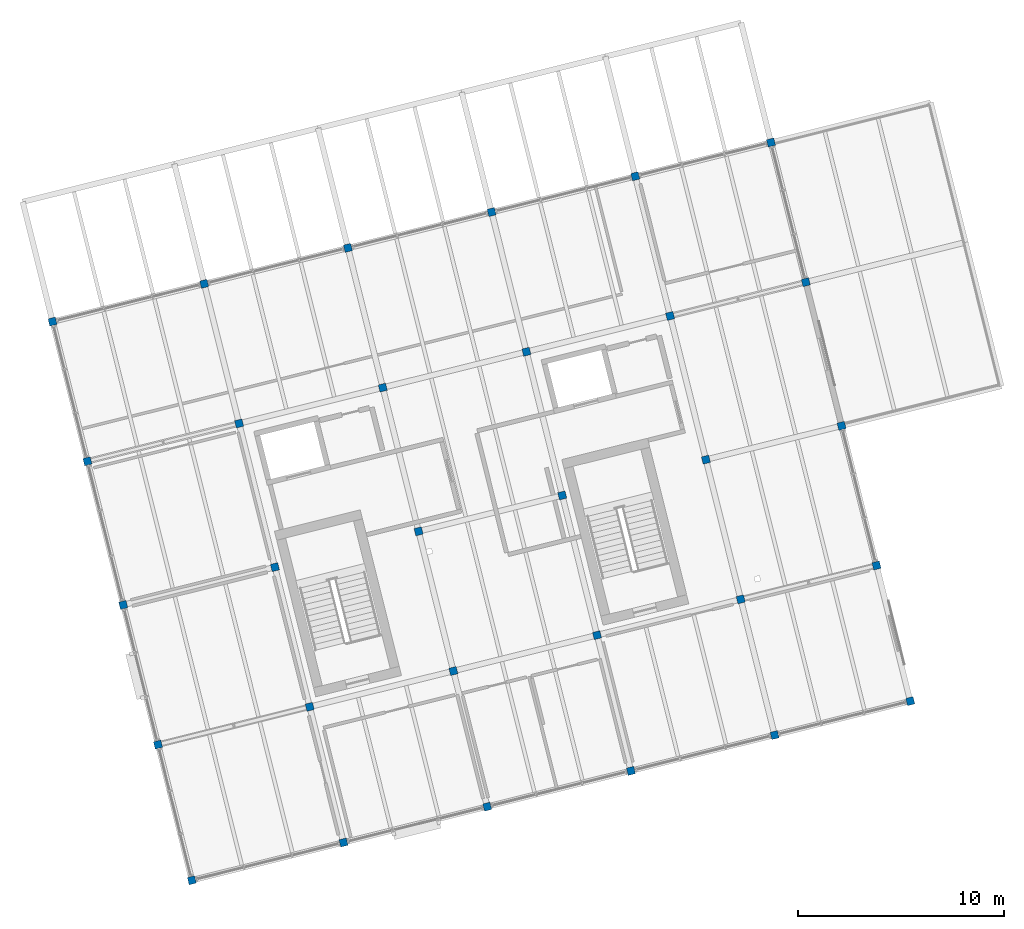
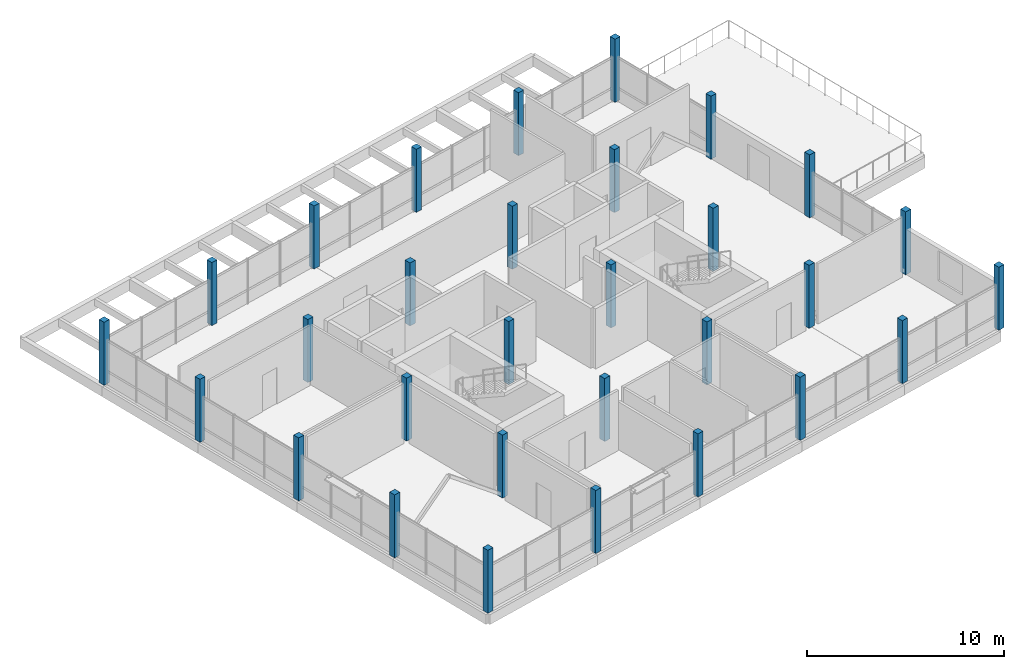
# One storey, part 1 of 28: 30 columns.
"""IFC4 building model written with IfcOpenShell, lengths in metres."""

import ifcopenshell
import ifcopenshell.guid

model = None  # the IFC model being written
_history = None  # IfcOwnerHistory: only IFC2X3 demands one
_inside = {}  # id of a spatial element -> (the spatial element, [elements in it])
_under = {}  # id of a project, library or spatial element -> (it, [spatial elements below it])
_declared = {}  # id of a project -> (the project, [libraries it declares])
_typed = {}  # id of a type object -> (the type object, [elements of that type])
_made_of = {}  # id of a material, layer set ... -> (it, [elements and type objects made of it])


def new_model(schema):
    """Start an empty IFC model of exactly this schema.

    Asked for "IFC4X3", IfcOpenShell would pick the latest addendum, in which some entities
    have other attributes; the version numbers below select the first issue.
    IFC2X3 requires an IfcOwnerHistory on every rooted entity: one is made here for all.
    """
    global model, _history
    if schema == "IFC4X3":
        model = ifcopenshell.file(schema_version=(4, 3, 0, 0))
    else:
        model = ifcopenshell.file(schema=schema)
    _inside.clear()
    _under.clear()
    _declared.clear()
    _typed.clear()
    _made_of.clear()
    _history = None
    if model.schema == "IFC2X3":
        org = make("IfcOrganization", Name="unknown")
        user = make(
            "IfcPersonAndOrganization",
            ThePerson=make("IfcPerson", FamilyName="unknown"),
            TheOrganization=org,
        )
        app = make(
            "IfcApplication",
            ApplicationDeveloper=org,
            Version="unknown",
            ApplicationFullName="unknown",
            ApplicationIdentifier="unknown",
        )
        _history = make(
            "IfcOwnerHistory",
            OwningUser=user,
            OwningApplication=app,
            ChangeAction="ADDED",
            CreationDate=0,
        )
    return model


def make(cls, **values):
    """One entity of the class cls with the attributes given. An attribute that is None is left unset."""
    return model.create_entity(
        cls, **{name: value for name, value in values.items() if value is not None}
    )


def rooted(cls, **values):
    """An entity with a GlobalId (a new one), such as an element, a storey or a relation."""
    return make(cls, GlobalId=ifcopenshell.guid.new(), OwnerHistory=_history, **values)


def si_unit(unit_type, name, prefix=None):
    """IfcSIUnit, for example si_unit("LENGTHUNIT", "METRE", prefix="MILLI")."""
    return make("IfcSIUnit", UnitType=unit_type, Prefix=prefix, Name=name)


def assignment(units):
    """IfcUnitAssignment: the units of a project."""
    return None if units is None else make("IfcUnitAssignment", Units=units)


def point(xyz):
    """IfcCartesianPoint."""
    return None if xyz is None else make("IfcCartesianPoint", Coordinates=xyz)


def direction(xyz):
    """IfcDirection."""
    return None if xyz is None else make("IfcDirection", DirectionRatios=xyz)


def frame(location, z_axis=None, x_axis=None):
    """IfcAxis2Placement3D, a coordinate frame: its origin and axes. An axis left out is left unset."""
    return make(
        "IfcAxis2Placement3D",
        Location=point(location),
        Axis=direction(z_axis),
        RefDirection=direction(x_axis),
    )


def frame_2d(location, x_axis=None):
    """IfcAxis2Placement2D, a coordinate frame in the plane: its origin and x axis."""
    return make(
        "IfcAxis2Placement2D", Location=point(location), RefDirection=direction(x_axis)
    )


def origin():
    """The frame at (0, 0, 0) with its axes left unset."""
    return frame((0.0, 0.0, 0.0))


def origin_2d():
    """The frame at (0, 0) in the plane with its x axis left unset."""
    return frame_2d((0.0, 0.0))


def place(relative_to, where):
    """IfcLocalPlacement: puts the frame where relative to a parent placement (None: the world)."""
    return make(
        "IfcLocalPlacement", PlacementRelTo=relative_to, RelativePlacement=where
    )


def context(
    kind, dimensions, precision=None, world=None, true_north=None, identifier=None
):
    """IfcGeometricRepresentationContext, for example the 3D "Model" context."""
    return make(
        "IfcGeometricRepresentationContext",
        ContextIdentifier=identifier,
        ContextType=kind,
        CoordinateSpaceDimension=dimensions,
        Precision=precision,
        WorldCoordinateSystem=world,
        TrueNorth=true_north,
    )


def subcontext(parent, identifier, kind, view, scale=None):
    """IfcGeometricRepresentationSubContext, for example "Body" below "Model"."""
    return make(
        "IfcGeometricRepresentationSubContext",
        ContextIdentifier=identifier,
        ContextType=kind,
        ParentContext=parent,
        TargetScale=scale,
        TargetView=view,
    )


def project(units=None, contexts=None):
    """IfcProject with its units and contexts."""
    return rooted(
        "IfcProject",
        Name="project",
        RepresentationContexts=contexts,
        UnitsInContext=assignment(units),
    )


def spatial(cls, under=None, at=None, **own):
    """A site, building, storey or space (cls), placed at a placement, below another one or the project."""
    s = rooted(cls, ObjectPlacement=at, **own)
    if under is not None:
        _under.setdefault(under.id(), (under, []))[1].append(s)
    return s


def profile(cls, at=None, kind="AREA", **sizes):
    """A parametric profile (cls). Its sizes go by their IFC names, for example OverallWidth=200.0."""
    return make(cls, ProfileType=kind, Position=at, **sizes)


def rectangle(**sizes):
    """IfcRectangleProfileDef."""
    return profile("IfcRectangleProfileDef", **sizes)


def extrude(swept, where, along, depth):
    """IfcExtrudedAreaSolid: the profile swept, set in the frame where, extruded along a direction by depth."""
    return make(
        "IfcExtrudedAreaSolid",
        SweptArea=swept,
        Position=where,
        ExtrudedDirection=direction(along),
        Depth=depth,
    )


def shape(context_of_items, identifier, shape_type, items):
    """IfcShapeRepresentation: the items that make up one representation, for example the "Body"."""
    return make(
        "IfcShapeRepresentation",
        ContextOfItems=context_of_items,
        RepresentationIdentifier=identifier,
        RepresentationType=shape_type,
        Items=items,
    )


def material(Name=None, Category=None):
    """IfcMaterial."""
    return make("IfcMaterial", Name=Name, Category=Category)


def material_profile(
    of_material, cross_section, Name=None, Category=None, Priority=None
):
    """IfcMaterialProfile: a cross section and its material."""
    return make(
        "IfcMaterialProfile",
        Name=Name,
        Material=of_material,
        Profile=cross_section,
        Priority=Priority,
        Category=Category,
    )


def profile_set(profiles, Name=None, composite=None):
    """IfcMaterialProfileSet."""
    return make(
        "IfcMaterialProfileSet",
        Name=Name,
        MaterialProfiles=profiles,
        CompositeProfile=composite,
    )


def made_of(thing, what):
    """Note that an element or type object is made of a material, layer set ...; save() writes the relation."""
    if what is not None:
        _made_of.setdefault(what.id(), (what, []))[1].append(thing)
    return thing


def type_object(cls, material=None, **own):
    """A type object (cls), such as IfcWallType, which elements share."""
    return made_of(rooted(cls, **own), material)


def element(
    cls,
    number,
    at=None,
    inside=None,
    cuts=None,
    type_object=None,
    material=None,
    context=None,
    identifier="Body",
    shape_type=None,
    held_by="IfcProductDefinitionShape",
    body=None,
    shapes=None,
    **own,
):
    """One element of the class cls, such as IfcWall. Its Tag is "e" and its number.

    at: its placement. inside: the storey or other place that contains it. cuts: it is an
    opening in that element (IfcRelVoidsElement). A single representation is given by context,
    identifier, shape_type and body (its items); several are given by shapes. held_by: the class
    of the entity that holds the representations. save() writes the other relations.
    """
    e = rooted(cls, Tag="e%d" % number, ObjectPlacement=at, **own)
    if body is not None:
        shapes = [shape(context, identifier, shape_type, body)]
    if shapes is not None:
        e.Representation = make(held_by, Representations=shapes)
    if inside is not None:
        _inside.setdefault(inside.id(), (inside, []))[1].append(e)
    if cuts is not None:
        rooted(
            "IfcRelVoidsElement", RelatingBuildingElement=cuts, RelatedOpeningElement=e
        )
    if type_object is not None:
        _typed.setdefault(type_object.id(), (type_object, []))[1].append(e)
    return made_of(e, material)


def aggregate(whole, parts):
    """IfcRelAggregates: a whole, such as a stair, and the parts it consists of."""
    return rooted("IfcRelAggregates", RelatingObject=whole, RelatedObjects=parts)


def save(model, path):
    """Write the relations noted so far, then the file.

    IfcRelAggregates (storeys below a building ...), IfcRelContainedInSpatialStructure (elements
    in a storey), IfcRelDefinesByType, IfcRelAssociatesMaterial and IfcRelDeclares: one each for
    every whole, place, type object, material and project.
    """
    for whole, parts in _under.values():
        aggregate(whole, parts)
    for where, things in _inside.values():
        rooted(
            "IfcRelContainedInSpatialStructure",
            RelatedElements=things,
            RelatingStructure=where,
        )
    for kind, things in _typed.values():
        rooted("IfcRelDefinesByType", RelatedObjects=things, RelatingType=kind)
    for what, things in _made_of.values():
        rooted("IfcRelAssociatesMaterial", RelatedObjects=things, RelatingMaterial=what)
    for by, libraries in _declared.values():
        rooted("IfcRelDeclares", RelatingContext=by, RelatedDefinitions=libraries)
    model.write(path)


model = new_model("IFC4")

# Units and contexts
model_context = context("Model", 3, precision=1e-05, world=origin(), true_north=direction((0.0, 1.0)))
body_context = subcontext(model_context, "Body", "Model", "MODEL_VIEW")
ifc_project = project(units=[si_unit("LENGTHUNIT", "METRE"), si_unit("AREAUNIT", "SQUARE_METRE"), si_unit("VOLUMEUNIT", "CUBIC_METRE"), si_unit("PLANEANGLEUNIT", "RADIAN"), si_unit("MASSUNIT", "GRAM", prefix="KILO")], contexts=[model_context])

# Site, building, storey
site_placement = place(None, origin())
site = spatial("IfcSite", under=ifc_project, at=site_placement, CompositionType="ELEMENT")
building_placement = place(site_placement, origin())
building = spatial("IfcBuilding", under=site, at=building_placement, Name="Meriwether Solvik Hall", CompositionType="ELEMENT")
storey_placement = place(building_placement, frame((0.0, 0.0, 45.60009765625)))
storey = spatial("IfcBuildingStorey", under=building, at=storey_placement, Name="L11", CompositionType="ELEMENT", Elevation=45.60009765625)

# Columns
ifc_material = material(Name="Glulam Douglas-Fir L2 GL28c", Category="wood")
ifc_material_profile = material_profile(ifc_material, rectangle(XDim=0.364990234375, YDim=0.364990234375, at=origin_2d()), Name="GLC-365X365")
ifc_profile_set = profile_set([ifc_material_profile], Name="Glulam Douglas-Fir L2 GL28c")
column_type = type_object("IfcColumnType", Name="COL-GL-365X365", PredefinedType="COLUMN", material=ifc_profile_set)
for number, where, z_axis, x_axis, name in (
    (1, (68.60009765625, 41.199951171875, 0.0), (0.0, 0.0, 1.0), (0.970295726276, 0.2419218956, 0.0), "Tower Column T1/TA (L11)"),
    (2, (66.954833984375, 47.798095703125, 0.0), (0.0, 0.0, 1.0), (0.970295726276, 0.2419218956, 0.0), "Tower Column T1/TB (L11)"),
    (3, (65.261474609375, 54.590087890625, 0.0), (0.0, 0.0, 1.0), (0.970295726276, 0.2419218956, 0.0), "Tower Column T1/TC (L11)"),
    (4, (63.51953125, 61.576171875, 0.0), (0.0, 0.0, 1.0), (0.970295726276, 0.2419218956, 0.0), "Tower Column T1/TD (L11)"),
    (5, (61.826171875, 68.3681640625, 0.0), (0.0, 0.0, 1.0), (0.970295726276, 0.2419218956, 0.0), "Tower Column T1/TE (L11)"),
    (6, (75.974365234375, 43.03857421875, 0.0), (0.0, 0.0, 1.0), (0.970295726276, 0.2419218956, 0.0), "Tower Column T2/TA (L11)"),
    (7, (74.3291015625, 49.63671875, 0.0), (0.0, 0.0, 1.0), (0.970295726276, 0.2419218956, 0.0), "Tower Column T2/TB (L11)"),
    (8, (72.6357421875, 56.4287109375, 0.0), (0.0, 0.0, 1.0), (0.970295726276, 0.2419218956, 0.0), "Tower Column T2/TC (L11)"),
    (9, (70.893798828125, 63.414794921875, 0.0), (0.0, 0.0, 1.0), (0.970295726276, 0.2419218956, 0.0), "Tower Column T2/TD (L11)"),
    (10, (69.200439453125, 70.206787109375, 0.0), (0.0, 0.0, 1.0), (0.970295726276, 0.2419218956, 0.0), "Tower Column T2/TE (L11)"),
    (11, (82.96044921875, 44.780517578125, 0.0), (0.0, 0.0, 1.0), (0.970295726276, 0.2419218956, 0.0), "Tower Column T3/TA (L11)"),
    (12, (81.3154296875, 51.37841796875, 0.0), (0.0, 0.0, 1.0), (0.970295726276, 0.2419218956, 0.0), "Tower Column T3/TB (L11)"),
    (13, (79.621826171875, 58.17041015625, 0.0), (0.0, 0.0, 1.0), (0.970295726276, 0.2419218956, 0.0), "Tower Column T3/TC (L11)"),
    (14, (77.880126953125, 65.15673828125, 0.0), (0.0, 0.0, 1.0), (0.970295726276, 0.2419218956, 0.0), "Tower Column T3/TD (L11)"),
    (15, (76.1865234375, 71.94873046875, 0.0), (0.0, 0.0, 1.0), (0.970295726276, 0.2419218956, 0.0), "Tower Column T3/TE (L11)"),
    (16, (89.946533203125, 46.522216796875, 0.0), (0.0, 0.0, 1.0), (0.970295726276, 0.2419218956, 0.0), "Tower Column T4/TA (L11)"),
    (17, (88.301513671875, 53.120361328125, 0.0), (0.0, 0.0, 1.0), (0.970295726276, 0.2419218956, 0.0), "Tower Column T4/TB (L11)"),
    (18, (86.60791015625, 59.912353515625, 0.0), (0.0, 0.0, 1.0), (0.970295726276, 0.2419218956, 0.0), "Tower Column T4/TC (L11)"),
    (19, (84.8662109375, 66.8984375, 0.0), (0.0, 0.0, 1.0), (0.970295726276, 0.2419218956, 0.0), "Tower Column T4/TD (L11)"),
    (20, (83.172607421875, 73.690673828125, 0.0), (0.0, 0.0, 1.0), (0.970295726276, 0.2419218956, 0.0), "Tower Column T4/TE (L11)"),
    (21, (96.9326171875, 48.26416015625, 0.0), (0.0, 0.0, 1.0), (0.970295726276, 0.2419218956, 0.0), "Tower Column T5/TA (L11)"),
    (22, (95.28759765625, 54.862060546875, 0.0), (0.0, 0.0, 1.0), (0.970295726276, 0.2419218956, 0.0), "Tower Column T5/TB (L11)"),
    (23, (93.593994140625, 61.654296875, 0.0), (0.0, 0.0, 1.0), (0.970295726276, 0.2419218956, 0.0), "Tower Column T5/TC (L11)"),
    (24, (91.852294921875, 68.640380859375, 0.0), (0.0, 0.0, 1.0), (0.970295726276, 0.2419218956, 0.0), "Tower Column T5/TD (L11)"),
    (25, (90.158935546875, 75.432373046875, 0.0), (0.0, 0.0, 1.0), (0.970295726276, 0.2419218956, 0.0), "Tower Column T5/TE (L11)"),
    (26, (103.53076171875, 49.9091796875, 0.0), (0.0, 0.0, 1.0), (0.970295726276, 0.2419218956, 0.0), "Tower Column T6/TA (L11)"),
    (27, (101.885498046875, 56.507080078125, 0.0), (0.0, 0.0, 1.0), (0.970295726276, 0.2419218956, 0.0), "Tower Column T6/TB (L11)"),
    (28, (100.192138671875, 63.29931640625, 0.0), (0.0, 0.0, 1.0), (0.970295726276, 0.2419218956, 0.0), "Tower Column T6/TC (L11)"),
    (29, (98.4501953125, 70.285400390625, 0.0), (0.0, 0.0, 1.0), (0.970295726276, 0.2419218956, 0.0), "Tower Column T6/TD (L11)"),
    (30, (96.7568359375, 77.077392578125, 0.0), (0.0, 0.0, 1.0), (0.970295726276, 0.2419218956, 0.0), "Tower Column T6/TE (L11)"),
):
    element("IfcColumn", number, at=place(storey_placement, frame(where, z_axis=z_axis, x_axis=x_axis)), inside=storey, type_object=column_type, Name=name, PredefinedType="COLUMN", context=body_context, shape_type="SweptSolid", body=[
        extrude(rectangle(XDim=0.364990234375, YDim=0.364990234375, at=origin_2d()), origin(), (0.0, 0.0, 1.0), 3.89990234375),
    ])

save(model, "model.ifc")
